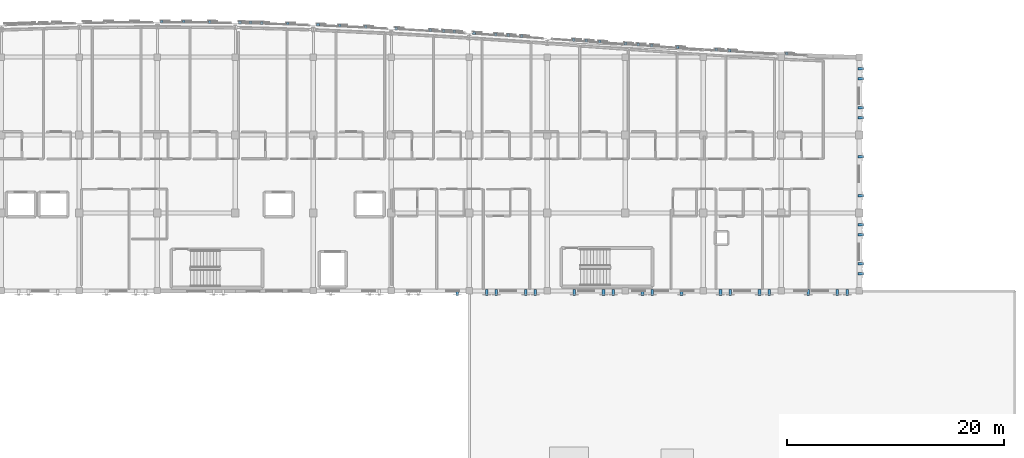
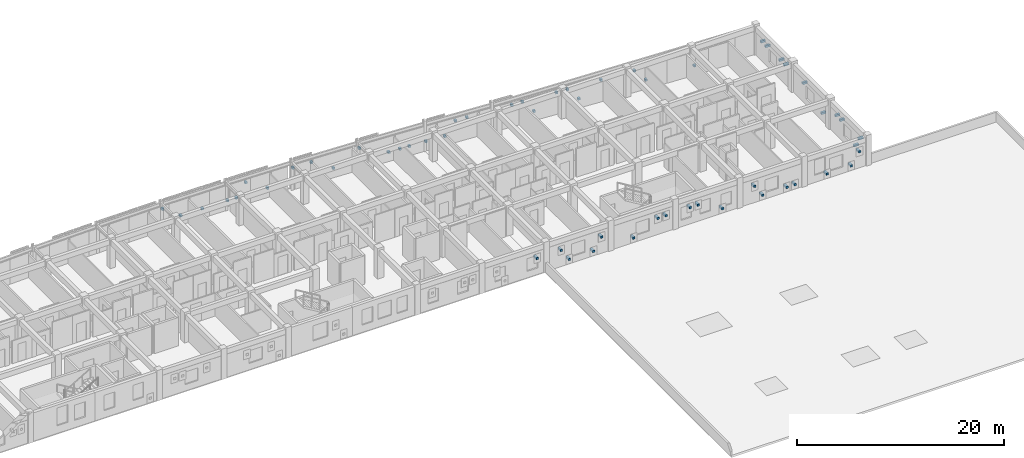
# One storey, part 48 of 50: 56 discrete accessories.
"""IFC4 building model written with IfcOpenShell, lengths in metres."""

from ifc_helpers import new_model, si_unit, direction, frame, origin, origin_2d, place, context, subcontext, project, spatial, rectangle, extrude, material, type_object, element, save


model = new_model("IFC4")

# Units and contexts
model_context = context("Model", 3, precision=1e-05, world=origin(), true_north=direction((0.0, 1.0)))
body_context = subcontext(model_context, "Body", "Model", "MODEL_VIEW")
ifc_project = project(units=[si_unit("LENGTHUNIT", "METRE"), si_unit("AREAUNIT", "SQUARE_METRE"), si_unit("VOLUMEUNIT", "CUBIC_METRE"), si_unit("PLANEANGLEUNIT", "RADIAN"), si_unit("MASSUNIT", "GRAM", prefix="KILO")], contexts=[model_context])

# Site, building, storey
site_placement = place(None, origin())
site = spatial("IfcSite", under=ifc_project, at=site_placement, CompositionType="ELEMENT")
building_placement = place(site_placement, origin())
building = spatial("IfcBuilding", under=site, at=building_placement, Name="Carrowvane Square Congress Hotel", CompositionType="ELEMENT")
storey_placement = place(building_placement, frame((0.0, 0.0, 22.800048828125)))
storey = spatial("IfcBuildingStorey", under=building, at=storey_placement, Name="L05", CompositionType="ELEMENT", Elevation=22.800048828125)

# Discrete accessories
ifc_material = material(Name="Stainless steel 316", Category="steel")
discrete_accessory_type = type_object("IfcDiscreteAccessoryType", Name="ACC-BRK-SS", PredefinedType="BRACKET", material=ifc_material)
for number, where, z_axis, x_axis, name in (
    (1, (98.4150390625, 116.6787109375, 2.02978515625), (0.0, 0.0, 1.0), (0.999994654955, -0.003269565853, 0.0), "Pixel screen mullion bracket 420"),
    (2, (100.435791015625, 116.671875, 0.56005859375), (0.0, 0.0, 1.0), (0.999952150705, -0.009782448565, 0.0), "Pixel screen mullion bracket 421"),
    (3, (102.831298828125, 116.648193359375, 0.56005859375), (0.0, 0.0, 1.0), (0.999868508772, -0.016216200758, 0.0), "Pixel screen mullion bracket 422"),
    (4, (105.629150390625, 116.60009765625, 0.56005859375), (0.0, 0.0, 1.0), (0.999746418061, -0.022518871507, 0.0), "Pixel screen mullion bracket 423"),
    (5, (106.597900390625, 116.578369140625, 0.56005859375), (0.0, 0.0, 1.0), (0.999746418061, -0.022518871507, 0.0), "Pixel screen mullion bracket 424"),
    (6, (107.63232421875, 116.5546875, 2.02978515625), (0.0, 0.0, 1.0), (0.999589805464, -0.028639497417, 0.0), "Pixel screen mullion bracket 425"),
    (7, (110.037841796875, 116.485595703125, 0.56005859375), (0.0, 0.0, 1.0), (0.999403768784, -0.034526901703, 0.0), "Pixel screen mullion bracket 426"),
    (8, (112.83203125, 116.38671875, 2.02978515625), (0.0, 0.0, 1.0), (0.999194294234, -0.040134304148, 0.0), "Pixel screen mullion bracket 427"),
    (9, (114.838623046875, 116.305908203125, 2.02978515625), (0.0, 0.0, 1.0), (0.998968255262, -0.045413929349, 0.0), "Pixel screen mullion bracket 428"),
    (10, (117.23388671875, 116.197021484375, 0.56005859375), (0.0, 0.0, 1.0), (0.998733066647, -0.050321581706, 0.0), "Pixel screen mullion bracket 429"),
    (11, (120.043701171875, 116.05322265625, 2.02978515625), (0.0, 0.0, 1.0), (0.998496552462, -0.054814548441, 0.0), "Pixel screen mullion bracket 430"),
    (12, (123.204833984375, 115.875, 0.56005859375), (0.0, 0.0, 1.0), (0.998266695506, -0.05885239709, 0.0), "Pixel screen mullion bracket 431"),
    (13, (124.43994140625, 115.802001953125, 0.56005859375), (0.0, 0.0, 1.0), (0.998051413269, -0.062396926785, 0.0), "Pixel screen mullion bracket 432"),
    (14, (125.425048828125, 115.740478515625, 0.56005859375), (0.0, 0.0, 1.0), (0.998051413269, -0.062396926785, 0.0), "Pixel screen mullion bracket 433"),
    (15, (127.24365234375, 115.62548828125, 0.56005859375), (0.0, 0.0, 1.0), (0.99785825325, -0.065413350476, 0.0), "Pixel screen mullion bracket 434"),
    (16, (129.240234375, 115.494384765625, 0.56005859375), (0.0, 0.0, 1.0), (0.9976944394, -0.067866085713, 0.0), "Pixel screen mullion bracket 435"),
    (17, (130.405517578125, 115.4150390625, 2.02978515625), (0.0, 0.0, 1.0), (0.9976944394, -0.067866085713, 0.0), "Pixel screen mullion bracket 436"),
    (18, (131.635498046875, 115.331298828125, 2.02978515625), (0.0, 0.0, 1.0), (0.997566258056, -0.069724893606, 0.0), "Pixel screen mullion bracket 437"),
    (19, (136.435546875, 114.992919921875, 2.02978515625), (0.0, 0.0, 1.0), (0.997438267187, -0.071532532122, 0.0), "Pixel screen mullion bracket 438"),
    (20, (137.605712890625, 114.908935546875, 2.02978515625), (0.0, 0.0, 1.0), (0.997438267187, -0.071532532122, 0.0), "Pixel screen mullion bracket 439"),
    (21, (138.840576171875, 114.8203125, 0.56005859375), (0.0, 0.0, 1.0), (0.997446326449, -0.071420066188, 0.0), "Pixel screen mullion bracket 440"),
    (22, (141.235595703125, 114.64892578125, 2.02978515625), (0.0, 0.0, 1.0), (0.997505756275, -0.070585169822, 0.0), "Pixel screen mullion bracket 441"),
    (23, (142.40576171875, 114.566162109375, 2.02978515625), (0.0, 0.0, 1.0), (0.997505756275, -0.070585169822, 0.0), "Pixel screen mullion bracket 442"),
    (24, (143.640380859375, 114.478759765625, 0.56005859375), (0.0, 0.0, 1.0), (0.99761759323, -0.068986503591, 0.0), "Pixel screen mullion bracket 443"),
    (25, (146.03515625, 114.313232421875, 2.02978515625), (0.0, 0.0, 1.0), (0.997781458784, -0.066574473385, 0.0), "Pixel screen mullion bracket 444"),
    (26, (149.60498046875, 114.0791015625, 2.02978515625), (0.0, 0.0, 1.0), (0.997996022269, -0.063276690295, 0.0), "Pixel screen mullion bracket 445"),
    (27, (150.834716796875, 114.001220703125, 0.56005859375), (0.0, 0.0, 1.0), (0.998258866948, -0.05898503675, 0.0), "Pixel screen mullion bracket 446"),
    (28, (156.122314453125, 113.70849609375, 0.56005859375), (0.0, 0.0, 1.0), (0.99891730083, -0.046521243556, 0.0), "Pixel screen mullion bracket 447"),
):
    element("IfcDiscreteAccessory", number, at=place(storey_placement, frame(where, z_axis=z_axis, x_axis=x_axis)), inside=storey, type_object=discrete_accessory_type, Name=name, PredefinedType="BRACKET", context=body_context, shape_type="SweptSolid", body=[
        extrude(rectangle(XDim=0.239990234375, YDim=0.280029296875, at=origin_2d()), origin(), (0.0, 0.0, 1.0), 0.239990234375),
    ])
for number, where, z_axis, x_axis, name in (
    (29, (162.93994140625, 112.300048828125, 1.9150390625), (0.0, 0.0, 1.0), (0.0, -1.0, 0.0), "V5 pixel screen bracket 448"),
    (30, (162.93994140625, 111.39990234375, 1.9150390625), (0.0, 0.0, 1.0), (0.0, -1.0, 0.0), "V5 pixel screen bracket 449"),
    (31, (162.93994140625, 108.699951171875, 1.9150390625), (0.0, 0.0, 1.0), (0.0, -1.0, 0.0), "V5 pixel screen bracket 450"),
    (32, (162.93994140625, 107.800048828125, 1.9150390625), (0.0, 0.0, 1.0), (0.0, -1.0, 0.0), "V5 pixel screen bracket 451"),
    (33, (162.93994140625, 104.199951171875, 1.9150390625), (0.0, 0.0, 1.0), (0.0, -1.0, 0.0), "V5 pixel screen bracket 452"),
    (34, (162.93994140625, 100.60009765625, 0.56005859375), (0.0, 0.0, 1.0), (0.0, -1.0, 0.0), "V5 pixel screen bracket 453"),
    (35, (162.93994140625, 97.89990234375, 1.9150390625), (0.0, 0.0, 1.0), (0.0, -1.0, 0.0), "V5 pixel screen bracket 454"),
    (36, (162.93994140625, 97.0, 1.9150390625), (0.0, 0.0, 1.0), (0.0, -1.0, 0.0), "V5 pixel screen bracket 455"),
    (37, (162.93994140625, 94.300048828125, 0.56005859375), (0.0, 0.0, 1.0), (0.0, -1.0, 0.0), "V5 pixel screen bracket 456"),
    (38, (162.93994140625, 93.39990234375, 1.9150390625), (0.0, 0.0, 1.0), (0.0, -1.0, 0.0), "V5 pixel screen bracket 457"),
    (39, (161.699951171875, 91.659912109375, 1.93017578125), (0.0, 0.0, 1.0), (-1.0, 0.0, 0.0), "V5 pixel screen bracket 458"),
    (40, (160.800048828125, 91.659912109375, 0.56005859375), (0.0, 0.0, 1.0), (-1.0, 0.0, 0.0), "V5 pixel screen bracket 459"),
    (41, (158.10009765625, 91.659912109375, 0.56005859375), (0.0, 0.0, 1.0), (-1.0, 0.0, 0.0), "V5 pixel screen bracket 460"),
    (42, (154.5, 91.659912109375, 0.56005859375), (0.0, 0.0, 1.0), (-1.0, 0.0, 0.0), "V5 pixel screen bracket 461"),
    (43, (153.60009765625, 91.659912109375, 0.56005859375), (0.0, 0.0, 1.0), (-1.0, 0.0, 0.0), "V5 pixel screen bracket 462"),
    (44, (150.89990234375, 91.659912109375, 0.56005859375), (0.0, 0.0, 1.0), (-1.0, 0.0, 0.0), "V5 pixel screen bracket 463"),
    (45, (150.0, 91.659912109375, 1.93017578125), (0.0, 0.0, 1.0), (-1.0, 0.0, 0.0), "V5 pixel screen bracket 464"),
    (46, (146.39990234375, 91.659912109375, 0.56005859375), (0.0, 0.0, 1.0), (-1.0, 0.0, 0.0), "V5 pixel screen bracket 465"),
    (47, (143.699951171875, 91.659912109375, 1.93017578125), (0.0, 0.0, 1.0), (-1.0, 0.0, 0.0), "V5 pixel screen bracket 466"),
    (48, (142.800048828125, 91.659912109375, 1.93017578125), (0.0, 0.0, 1.0), (-1.0, 0.0, 0.0), "V5 pixel screen bracket 467"),
    (49, (140.10009765625, 91.659912109375, 1.93017578125), (0.0, 0.0, 1.0), (-1.0, 0.0, 0.0), "V5 pixel screen bracket 468"),
    (50, (139.199951171875, 91.659912109375, 1.93017578125), (0.0, 0.0, 1.0), (-1.0, 0.0, 0.0), "V5 pixel screen bracket 469"),
    (51, (136.5, 91.659912109375, 0.56005859375), (0.0, 0.0, 1.0), (-1.0, 0.0, 0.0), "V5 pixel screen bracket 470"),
    (52, (132.89990234375, 91.659912109375, 1.93017578125), (0.0, 0.0, 1.0), (-1.0, 0.0, 0.0), "V5 pixel screen bracket 471"),
    (53, (132.0, 91.659912109375, 0.56005859375), (0.0, 0.0, 1.0), (-1.0, 0.0, 0.0), "V5 pixel screen bracket 472"),
    (54, (129.300048828125, 91.659912109375, 0.56005859375), (0.0, 0.0, 1.0), (-1.0, 0.0, 0.0), "V5 pixel screen bracket 473"),
    (55, (128.39990234375, 91.659912109375, 1.93017578125), (0.0, 0.0, 1.0), (-1.0, 0.0, 0.0), "V5 pixel screen bracket 474"),
    (56, (125.699951171875, 91.659912109375, 1.93017578125), (0.0, 0.0, 1.0), (-1.0, 0.0, 0.0), "V5 pixel screen bracket 475"),
):
    element("IfcDiscreteAccessory", number, at=place(storey_placement, frame(where, z_axis=z_axis, x_axis=x_axis)), inside=storey, type_object=discrete_accessory_type, Name=name, PredefinedType="BRACKET", context=body_context, shape_type="SweptSolid", body=[
        extrude(rectangle(XDim=0.239990234375, YDim=0.52001953125, at=origin_2d()), origin(), (0.0, 0.0, 1.0), 0.239990234375),
    ])

save(model, "model.ifc")
